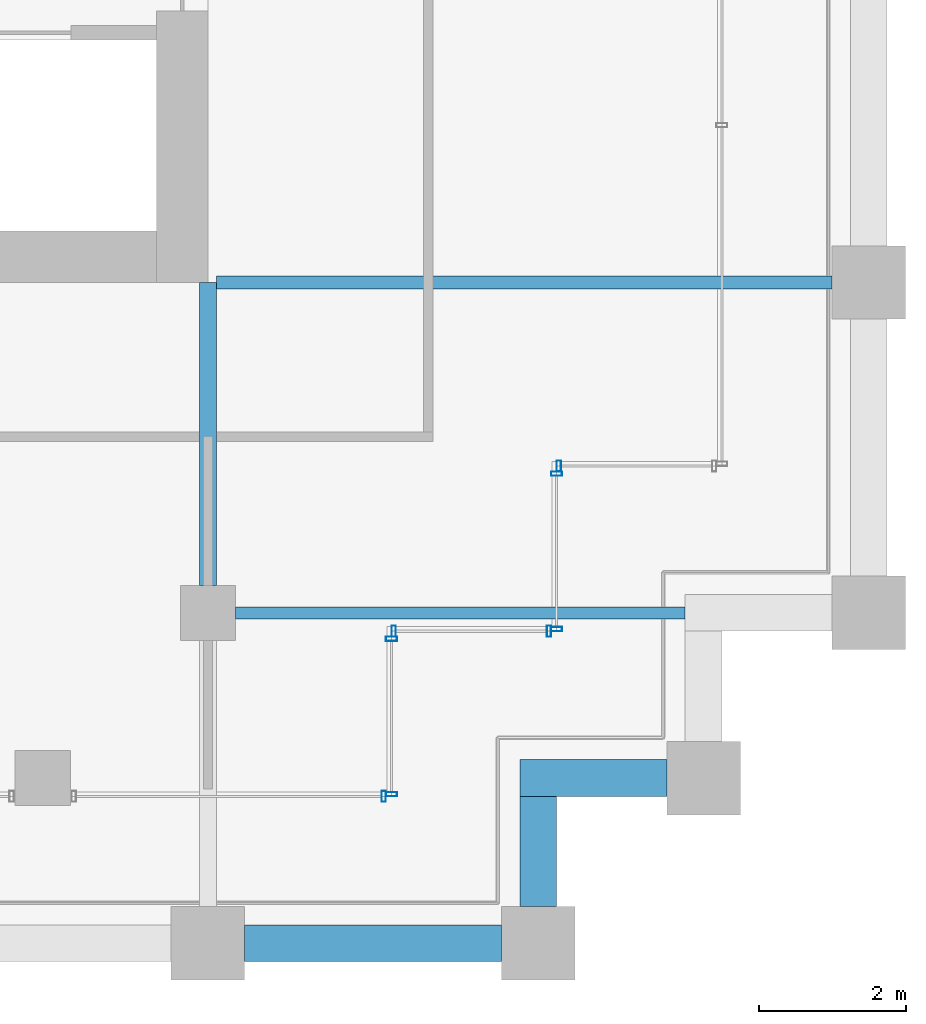
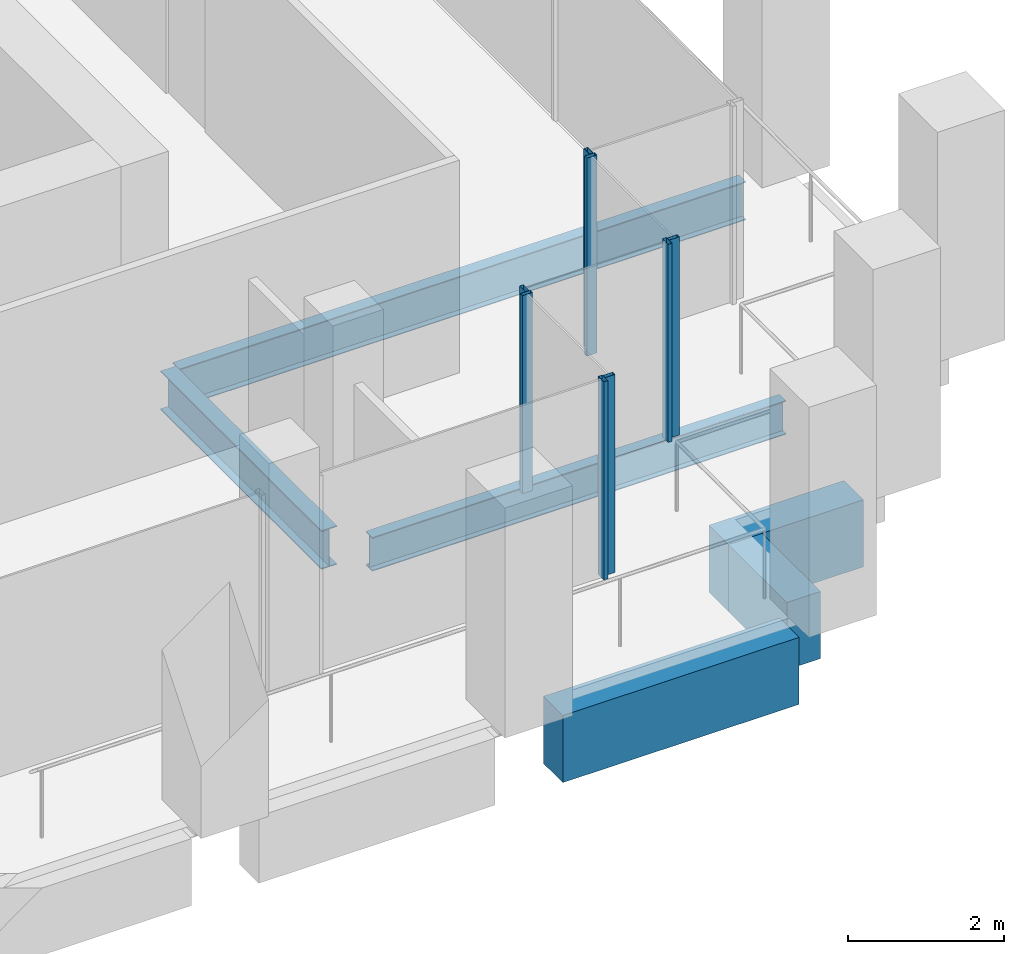
# One storey, part 32 of 45: 8 members, 6 beams, 5 elements without a shape of their own.
"""IFC4 building model written with IfcOpenShell, lengths in metres."""

from ifc_helpers import new_model, si_unit, direction, frame, origin, origin_2d, place, context, subcontext, project, spatial, rectangle, hollow_rectangle, i_section, extrude, material, material_profile, profile_set, type_object, element, aggregate, save


model = new_model("IFC4")

# Units and contexts
model_context = context("Model", 3, precision=1e-05, world=origin(), true_north=direction((0.0, 1.0)))
body_context = subcontext(model_context, "Body", "Model", "MODEL_VIEW")
ifc_project = project(units=[si_unit("LENGTHUNIT", "METRE"), si_unit("AREAUNIT", "SQUARE_METRE"), si_unit("VOLUMEUNIT", "CUBIC_METRE"), si_unit("PLANEANGLEUNIT", "RADIAN"), si_unit("MASSUNIT", "GRAM", prefix="KILO")], contexts=[model_context])

# Site, building, storey
site_placement = place(None, origin())
site = spatial("IfcSite", under=ifc_project, at=site_placement, CompositionType="ELEMENT")
building_placement = place(site_placement, origin())
building = spatial("IfcBuilding", under=site, at=building_placement, Name="Altepetl Exchange Towers", CompositionType="ELEMENT")
storey_placement = place(building_placement, frame((0.0, 0.0, 110.0)))
storey = spatial("IfcBuildingStorey", under=building, at=storey_placement, Name="L27", CompositionType="ELEMENT", Elevation=110.0)

# Beams
ifc_material_1 = material(Name="Steel S355", Category="steel")
ifc_material_profile_1 = material_profile(ifc_material_1, i_section(OverallWidth=0.166015625, OverallDepth=0.529052734375, WebThickness=0.009765625, FlangeThickness=0.013671875, at=origin_2d()), Name="W21X50")
ifc_profile_set_1 = profile_set([ifc_material_profile_1], Name="Steel S355")
beam_type_1 = type_object("IfcBeamType", Name="Floor beam W21X50", PredefinedType="BEAM", material=ifc_profile_set_1)
beam_1_placement = place(storey_placement, frame((117.375, 31.5, -0.41455078125), z_axis=(1.0, 0.0, 0.0), x_axis=(0.0, 1.0, 0.0)))
element("IfcBeam", 1, at=beam_1_placement, inside=storey, type_object=beam_type_1, Name="bm:B:L27:000", PredefinedType="BEAM", context=body_context, shape_type="SweptSolid", body=[
    extrude(i_section(OverallWidth=0.166015625, OverallDepth=0.529052734375, WebThickness=0.009765625, FlangeThickness=0.013671875, at=origin_2d()), origin(), (0.0, 0.0, 1.0), 6.125),
])
ifc_material_profile_2 = material_profile(ifc_material_1, i_section(OverallWidth=0.177978515625, OverallDepth=0.59912109375, WebThickness=0.010009765625, FlangeThickness=0.0126953125, at=origin_2d()), Name="W24X55")
ifc_profile_set_2 = profile_set([ifc_material_profile_2], Name="Steel S355")
beam_type_2 = type_object("IfcBeamType", Name="Floor beam W24X55", PredefinedType="BEAM", material=ifc_profile_set_2)
beam_2_placement = place(storey_placement, frame((117.114013671875, 36.0, -0.449462890625), z_axis=(1.0, 0.0, 0.0), x_axis=(0.0, 1.0, 0.0)))
element("IfcBeam", 2, at=beam_2_placement, inside=storey, type_object=beam_type_2, Name="bm:B:L27:001", PredefinedType="BEAM", context=body_context, shape_type="SweptSolid", body=[
    extrude(i_section(OverallWidth=0.177978515625, OverallDepth=0.59912109375, WebThickness=0.010009765625, FlangeThickness=0.0126953125, at=origin_2d()), origin(), (0.0, 0.0, 1.0), 8.385986328125),
])
ifc_material_profile_3 = material_profile(ifc_material_1, i_section(OverallWidth=0.22802734375, OverallDepth=0.60791015625, WebThickness=0.01123046875, FlangeThickness=0.017333984375, at=origin_2d()), Name="W24X76")
ifc_profile_set_3 = profile_set([ifc_material_profile_3], Name="Steel S355")
beam_type_3 = type_object("IfcBeamType", Name="Girder W24X76", PredefinedType="BEAM", material=ifc_profile_set_3)
beam_3_placement = place(storey_placement, frame((117.0, 36.0, -0.4541015625), z_axis=(0.0, -1.0, 0.0), x_axis=(1.0, 0.0, 0.0)))
element("IfcBeam", 3, at=beam_3_placement, inside=storey, type_object=beam_type_3, Name="gd:B:L27:000", PredefinedType="BEAM", context=body_context, shape_type="SweptSolid", body=[
    extrude(i_section(OverallWidth=0.22802734375, OverallDepth=0.60791015625, WebThickness=0.01123046875, FlangeThickness=0.017333984375, at=origin_2d()), origin(), (0.0, 0.0, 1.0), 4.125),
])

# Curtain wall, member
ifc_material_2 = material(Name="Aluminium 6063-T6 glazing", Category="aluminium")
curtain_wall_type = type_object("IfcCurtainWallType", Name="Loggia glazing system", PredefinedType="NOTDEFINED", material=ifc_material_2)
curtain_wall_1_placement = place(storey_placement, origin())
curtain_wall_1 = element("IfcCurtainWall", 4, at=curtain_wall_1_placement, inside=storey, type_object=curtain_wall_type, Name="CW1 run", PredefinedType="NOTDEFINED")
ifc_material_3 = material(Name="Aluminium 6063-T6", Category="aluminium")
ifc_material_profile_4 = material_profile(ifc_material_3, hollow_rectangle(XDim=0.06005859375, YDim=0.14990234375, WallThickness=0.0029296875, at=origin_2d()), Name="Mullion 60x150 aluminium")
ifc_profile_set_4 = profile_set([ifc_material_profile_4], Name="Aluminium 6063-T6")
member_type = type_object("IfcMemberType", Name="Mullion 60x150 aluminium", PredefinedType="MULLION", material=ifc_profile_set_4)
member_1_placement = place(storey_placement, frame((119.39501953125, 29.0, 0.0)))
member_1 = element("IfcMember", 5, at=member_1_placement, type_object=member_type, Name="MU1 mullion", PredefinedType="MULLION", context=body_context, shape_type="SweptSolid", body=[
    extrude(hollow_rectangle(XDim=0.06005859375, YDim=0.14990234375, WallThickness=0.0029296875, at=origin_2d()), origin(), (0.0, 0.0, 1.0), 3.10009765625),
])
aggregate(curtain_wall_1, [member_1])

# Curtain wall, members
curtain_wall_2_placement = place(storey_placement, origin())
curtain_wall_2 = element("IfcCurtainWall", 6, at=curtain_wall_2_placement, inside=storey, type_object=curtain_wall_type, Name="CW1 run", PredefinedType="NOTDEFINED")
member_2_placement = place(storey_placement, frame((119.5, 29.030029296875, 0.0), z_axis=(0.0, 0.0, 1.0), x_axis=(0.0, 1.0, 0.0)))
member_2 = element("IfcMember", 7, at=member_2_placement, type_object=member_type, Name="MU1 mullion", PredefinedType="MULLION", context=body_context, shape_type="SweptSolid", body=[
    extrude(hollow_rectangle(XDim=0.06005859375, YDim=0.14990234375, WallThickness=0.0029296875, at=origin_2d()), origin(), (0.0, 0.0, 1.0), 3.10009765625),
])
member_3_placement = place(storey_placement, frame((119.5, 31.14501953125, 0.0), z_axis=(0.0, 0.0, 1.0), x_axis=(0.0, 1.0, 0.0)))
member_3 = element("IfcMember", 8, at=member_3_placement, type_object=member_type, Name="MU1 mullion", PredefinedType="MULLION", context=body_context, shape_type="SweptSolid", body=[
    extrude(hollow_rectangle(XDim=0.06005859375, YDim=0.14990234375, WallThickness=0.0029296875, at=origin_2d()), origin(), (0.0, 0.0, 1.0), 3.10009765625),
])
aggregate(curtain_wall_2, [member_2, member_3])

curtain_wall_3_placement = place(storey_placement, origin())
curtain_wall_3 = element("IfcCurtainWall", 9, at=curtain_wall_3_placement, inside=storey, type_object=curtain_wall_type, Name="CW1 run", PredefinedType="NOTDEFINED")
member_4_placement = place(storey_placement, frame((119.530029296875, 31.25, 0.0)))
member_4 = element("IfcMember", 10, at=member_4_placement, type_object=member_type, Name="MU1 mullion", PredefinedType="MULLION", context=body_context, shape_type="SweptSolid", body=[
    extrude(hollow_rectangle(XDim=0.06005859375, YDim=0.14990234375, WallThickness=0.0029296875, at=origin_2d()), origin(), (0.0, 0.0, 1.0), 3.10009765625),
])
member_5_placement = place(storey_placement, frame((121.64501953125, 31.25, 0.0)))
member_5 = element("IfcMember", 11, at=member_5_placement, type_object=member_type, Name="MU1 mullion", PredefinedType="MULLION", context=body_context, shape_type="SweptSolid", body=[
    extrude(hollow_rectangle(XDim=0.06005859375, YDim=0.14990234375, WallThickness=0.0029296875, at=origin_2d()), origin(), (0.0, 0.0, 1.0), 3.10009765625),
])
aggregate(curtain_wall_3, [member_4, member_5])

curtain_wall_4_placement = place(storey_placement, origin())
curtain_wall_4 = element("IfcCurtainWall", 12, at=curtain_wall_4_placement, inside=storey, type_object=curtain_wall_type, Name="CW1 run", PredefinedType="NOTDEFINED")
member_6_placement = place(storey_placement, frame((121.75, 31.280029296875, 0.0), z_axis=(0.0, 0.0, 1.0), x_axis=(0.0, 1.0, 0.0)))
member_6 = element("IfcMember", 13, at=member_6_placement, type_object=member_type, Name="MU1 mullion", PredefinedType="MULLION", context=body_context, shape_type="SweptSolid", body=[
    extrude(hollow_rectangle(XDim=0.06005859375, YDim=0.14990234375, WallThickness=0.0029296875, at=origin_2d()), origin(), (0.0, 0.0, 1.0), 3.10009765625),
])
member_7_placement = place(storey_placement, frame((121.75, 33.39501953125, 0.0), z_axis=(0.0, 0.0, 1.0), x_axis=(0.0, 1.0, 0.0)))
member_7 = element("IfcMember", 14, at=member_7_placement, type_object=member_type, Name="MU1 mullion", PredefinedType="MULLION", context=body_context, shape_type="SweptSolid", body=[
    extrude(hollow_rectangle(XDim=0.06005859375, YDim=0.14990234375, WallThickness=0.0029296875, at=origin_2d()), origin(), (0.0, 0.0, 1.0), 3.10009765625),
])
aggregate(curtain_wall_4, [member_6, member_7])

# Curtain wall, member
curtain_wall_5_placement = place(storey_placement, origin())
curtain_wall_5 = element("IfcCurtainWall", 15, at=curtain_wall_5_placement, inside=storey, type_object=curtain_wall_type, Name="CW1 run", PredefinedType="NOTDEFINED")
member_8_placement = place(storey_placement, frame((121.780029296875, 33.5, 0.0)))
member_8 = element("IfcMember", 16, at=member_8_placement, type_object=member_type, Name="MU1 mullion", PredefinedType="MULLION", context=body_context, shape_type="SweptSolid", body=[
    extrude(hollow_rectangle(XDim=0.06005859375, YDim=0.14990234375, WallThickness=0.0029296875, at=origin_2d()), origin(), (0.0, 0.0, 1.0), 3.10009765625),
])
aggregate(curtain_wall_5, [member_8])

# Beams
ifc_material_4 = material(Name="Concrete C50/60 precast with cantera blanca facing", Category="concrete")
ifc_material_profile_5 = material_profile(ifc_material_4, rectangle(XDim=0.5, YDim=1.050048828125, at=origin_2d()), Name="500 x 1050")
ifc_profile_set_5 = profile_set([ifc_material_profile_5], Name="Concrete C50/60 precast with cantera blanca facing")
beam_type_4 = type_object("IfcBeamType", Name="Spandrel beam 500x1050 cantera blanca", PredefinedType="SPANDREL", material=ifc_profile_set_5)
beam_4_placement = place(storey_placement, frame((117.5, 27.0, -0.675048828125), z_axis=(1.0, 0.0, 0.0), x_axis=(0.0, 1.0, 0.0)))
element("IfcBeam", 17, at=beam_4_placement, inside=storey, type_object=beam_type_4, Name="sp:B:L27:004", PredefinedType="SPANDREL", context=body_context, shape_type="SweptSolid", body=[
    extrude(rectangle(XDim=0.5, YDim=1.050048828125, at=origin_2d()), origin(), (0.0, 0.0, 1.0), 3.5),
])
beam_5_placement = place(storey_placement, frame((121.5, 27.5, -0.675048828125), z_axis=(0.0, 1.0, 0.0), x_axis=(-1.0, 0.0, 0.0)))
element("IfcBeam", 18, at=beam_5_placement, inside=storey, type_object=beam_type_4, Name="sp:B:L27:005", PredefinedType="SPANDREL", context=body_context, shape_type="SweptSolid", body=[
    extrude(rectangle(XDim=0.5, YDim=1.050048828125, at=origin_2d()), origin(), (0.0, 0.0, 1.0), 1.5),
])
beam_6_placement = place(storey_placement, frame((121.25, 29.25, -0.675048828125), z_axis=(1.0, 0.0, 0.0), x_axis=(0.0, 1.0, 0.0)))
element("IfcBeam", 19, at=beam_6_placement, inside=storey, type_object=beam_type_4, Name="sp:B:L27:006", PredefinedType="SPANDREL", context=body_context, shape_type="SweptSolid", body=[
    extrude(rectangle(XDim=0.5, YDim=1.050048828125, at=origin_2d()), origin(), (0.0, 0.0, 1.0), 2.0),
])

save(model, "model.ifc")
